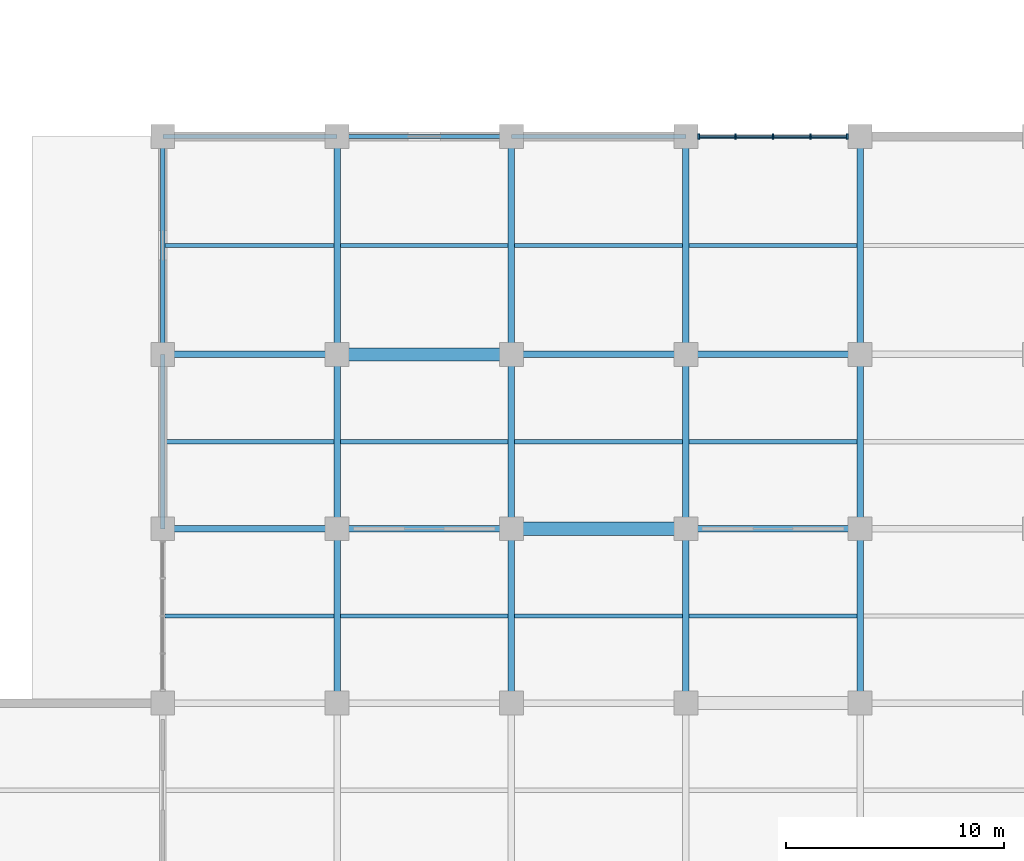
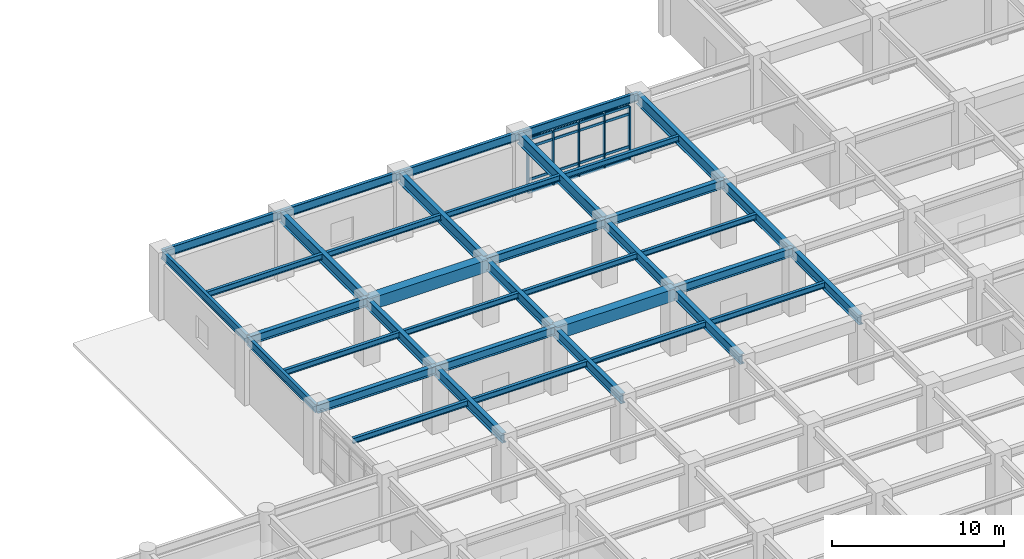
# One storey, part 44 of 125: 38 beams, 21 members, 1 element without a shape of its own.
"""IFC4 building model written with IfcOpenShell, lengths in metres."""

from ifc_helpers import new_model, si_unit, direction, frame, origin, origin_2d, place, context, subcontext, project, spatial, rectangle, i_section, extrude, material, layer, layer_set, material_profile, profile_set, type_object, element, aggregate, save


model = new_model("IFC4")

# Units and contexts
model_context = context("Model", 3, precision=1e-05, world=origin(), true_north=direction((0.0, 1.0)))
body_context = subcontext(model_context, "Body", "Model", "MODEL_VIEW")
ifc_project = project(units=[si_unit("LENGTHUNIT", "METRE"), si_unit("AREAUNIT", "SQUARE_METRE"), si_unit("VOLUMEUNIT", "CUBIC_METRE"), si_unit("PLANEANGLEUNIT", "RADIAN"), si_unit("MASSUNIT", "GRAM", prefix="KILO")], contexts=[model_context])

# Site, building, storey
site_placement = place(None, origin())
site = spatial("IfcSite", under=ifc_project, at=site_placement, CompositionType="ELEMENT")
building_placement = place(site_placement, origin())
building = spatial("IfcBuilding", under=site, at=building_placement, Name="Haebicheon Civic Stadium", CompositionType="ELEMENT")
storey_placement = place(building_placement, origin())
storey = spatial("IfcBuildingStorey", under=building, at=storey_placement, Name="L01", CompositionType="ELEMENT", Elevation=0.0)

# Beams
ifc_material_1 = material(Name="Steel SM355 (S355)", Category="steel")
ifc_material_profile_1 = material_profile(ifc_material_1, i_section(OverallWidth=0.300048828125, OverallDepth=0.60009765625, WebThickness=0.011962890625, FlangeThickness=0.02001953125, at=origin_2d()), Name="H-600x300x12x20")
ifc_profile_set_1 = profile_set([ifc_material_profile_1], Name="Steel SM355 (S355)")
beam_type_1 = type_object("IfcBeamType", Name="BM-ST-H600A", PredefinedType="BEAM", material=ifc_profile_set_1)
for number, where, z_axis, x_axis, name in (
    (1, (24.0, 160.0, 4.179931640625), (1.0, 0.0, 0.0), (0.0, 1.0, 0.0), "L01 beam W/4-5"),
    (2, (24.0, 168.0, 4.179931640625), (1.0, 0.0, 0.0), (0.0, 1.0, 0.0), "L01 beam X/4-5"),
    (3, (32.0, 160.0, 4.179931640625), (1.0, 0.0, 0.0), (0.0, 1.0, 0.0), "L01 beam W/5-6"),
    (4, (40.0, 168.0, 4.179931640625), (1.0, 0.0, 0.0), (0.0, 1.0, 0.0), "L01 beam X/6-7"),
    (5, (48.0, 160.0, 4.179931640625), (1.0, 0.0, 0.0), (0.0, 1.0, 0.0), "L01 beam W/7-8"),
    (6, (48.0, 168.0, 4.179931640625), (1.0, 0.0, 0.0), (0.0, 1.0, 0.0), "L01 beam X/7-8"),
):
    element("IfcBeam", number, at=place(storey_placement, frame(where, z_axis=z_axis, x_axis=x_axis)), inside=storey, type_object=beam_type_1, material=ifc_profile_set_1, Name=name, PredefinedType="BEAM", context=body_context, shape_type="SweptSolid", body=[
        extrude(i_section(OverallWidth=0.300048828125, OverallDepth=0.60009765625, WebThickness=0.011962890625, FlangeThickness=0.02001953125, at=origin_2d()), origin(), (0.0, 0.0, 1.0), 8.0),
    ])
ifc_material_2 = material(Name="Steel SM490", Category="steel")
ifc_material_profile_2 = material_profile(ifc_material_2, i_section(OverallWidth=0.300048828125, OverallDepth=0.699951171875, WebThickness=0.012939453125, FlangeThickness=0.02392578125, at=origin_2d()), Name="H-700x300x13x24")
ifc_profile_set_2 = profile_set([ifc_material_profile_2], Name="Steel SM490")
beam_type_2 = type_object("IfcBeamType", Name="BM-ST-H700", PredefinedType="BEAM", material=ifc_profile_set_2)
for number, where, z_axis, x_axis, name in (
    (7, (32.0, 152.0, 4.1298828125), (0.0, 1.0, 0.0), (-1.0, 0.0, 0.0), "L01 girder 5/V-W"),
    (8, (32.0, 160.0, 4.1298828125), (0.0, 1.0, 0.0), (-1.0, 0.0, 0.0), "L01 girder 5/W-X"),
    (9, (40.0, 152.0, 4.1298828125), (0.0, 1.0, 0.0), (-1.0, 0.0, 0.0), "L01 girder 6/V-W"),
    (10, (40.0, 160.0, 4.1298828125), (0.0, 1.0, 0.0), (-1.0, 0.0, 0.0), "L01 girder 6/W-X"),
    (11, (48.0, 152.0, 4.1298828125), (0.0, 1.0, 0.0), (-1.0, 0.0, 0.0), "L01 girder 7/V-W"),
    (12, (48.0, 160.0, 4.1298828125), (0.0, 1.0, 0.0), (-1.0, 0.0, 0.0), "L01 girder 7/W-X"),
    (13, (56.0, 152.0, 4.1298828125), (0.0, 1.0, 0.0), (-1.0, 0.0, 0.0), "L01 girder 8/V-W"),
    (14, (56.0, 160.0, 4.1298828125), (0.0, 1.0, 0.0), (-1.0, 0.0, 0.0), "L01 girder 8/W-X"),
):
    element("IfcBeam", number, at=place(storey_placement, frame(where, z_axis=z_axis, x_axis=x_axis)), inside=storey, type_object=beam_type_2, material=ifc_profile_set_2, Name=name, PredefinedType="BEAM", context=body_context, shape_type="SweptSolid", body=[
        extrude(i_section(OverallWidth=0.300048828125, OverallDepth=0.699951171875, WebThickness=0.012939453125, FlangeThickness=0.02392578125, at=origin_2d()), origin(), (0.0, 0.0, 1.0), 8.0),
    ])
ifc_material_3 = material(Name="Steel SM490", Category="steel")
ifc_material_profile_3 = material_profile(ifc_material_3, i_section(OverallWidth=0.300048828125, OverallDepth=0.800048828125, WebThickness=0.013916015625, FlangeThickness=0.02587890625, at=origin_2d()), Name="H-800x300x14x26")
ifc_profile_set_3 = profile_set([ifc_material_profile_3], Name="Steel SM490")
beam_type_3 = type_object("IfcBeamType", Name="BM-ST-H800", PredefinedType="BEAM", material=ifc_profile_set_3)
for number, where, z_axis, x_axis, name in (
    (15, (32.0, 168.0, 4.179931640625), (0.0, 1.0, 0.0), (-1.0, 0.0, 0.0), "L01 girder 5/X-Y"),
    (16, (40.0, 168.0, 4.179931640625), (0.0, 1.0, 0.0), (-1.0, 0.0, 0.0), "L01 girder 6/X-Y"),
    (17, (48.0, 168.0, 4.179931640625), (0.0, 1.0, 0.0), (-1.0, 0.0, 0.0), "L01 girder 7/X-Y"),
    (18, (56.0, 168.0, 4.179931640625), (0.0, 1.0, 0.0), (-1.0, 0.0, 0.0), "L01 girder 8/X-Y"),
):
    element("IfcBeam", number, at=place(storey_placement, frame(where, z_axis=z_axis, x_axis=x_axis)), inside=storey, type_object=beam_type_3, material=ifc_profile_set_3, Name=name, PredefinedType="BEAM", context=body_context, shape_type="SweptSolid", body=[
        extrude(i_section(OverallWidth=0.300048828125, OverallDepth=0.800048828125, WebThickness=0.013916015625, FlangeThickness=0.02587890625, at=origin_2d()), origin(), (0.0, 0.0, 1.0), 10.0),
    ])
ifc_material_4 = material(Name="Precast concrete C40/50", Category="concrete")
ifc_material_profile_4 = material_profile(ifc_material_4, rectangle(XDim=0.60009765625, YDim=0.85009765625, at=origin_2d()), Name="PC-TB-600x850")
ifc_profile_set_4 = profile_set([ifc_material_profile_4], Name="Precast concrete C40/50")
beam_type_4 = type_object("IfcBeamType", Name="BM-TB-600x850", PredefinedType="T_BEAM", material=ifc_profile_set_4)
for number, where, z_axis, x_axis, name in (
    (19, (32.0, 168.0, 4.054931640625), (1.0, 0.0, 0.0), (0.0, 1.0, 0.0), "L01 beam X/5-6"),
    (20, (40.0, 160.0, 4.054931640625), (1.0, 0.0, 0.0), (0.0, 1.0, 0.0), "L01 beam W/6-7"),
):
    element("IfcBeam", number, at=place(storey_placement, frame(where, z_axis=z_axis, x_axis=x_axis)), inside=storey, type_object=beam_type_4, material=ifc_profile_set_4, Name=name, PredefinedType="T_BEAM", context=body_context, shape_type="SweptSolid", body=[
        extrude(rectangle(XDim=0.60009765625, YDim=0.85009765625, at=origin_2d()), origin(), (0.0, 0.0, 1.0), 8.0),
    ])

# Curtain wall, members
ifc_material_5 = material(Name="Anodised aluminium and laminated glass", Category="aluminium")
ifc_layer = layer(ifc_material_5, 0.179931640625, Name="Anodised aluminium and laminated glass")
ifc_layer_set = layer_set([ifc_layer], Name="Anodised aluminium and laminated glass")
curtain_wall_type = type_object("IfcCurtainWallType", Name="CW-6900x3770", PredefinedType="NOTDEFINED", material=ifc_layer_set)
curtain_wall_placement = place(storey_placement, origin())
curtain_wall = element("IfcCurtainWall", 21, at=curtain_wall_placement, inside=storey, type_object=curtain_wall_type, material=ifc_layer_set, Name="L01 unitised curtain wall 004", PredefinedType="NOTDEFINED")
ifc_material_6 = material(Name="Anodised aluminium 6063-T6", Category="aluminium")
ifc_material_profile_5 = material_profile(ifc_material_6, rectangle(XDim=0.080078125, YDim=0.239990234375, at=origin_2d()), Name="ALU-MULL-80x240")
ifc_profile_set_5 = profile_set([ifc_material_profile_5], Name="Anodised aluminium 6063-T6")
member_type_1 = type_object("IfcMemberType", Name="CWM-240x80", PredefinedType="MULLION", material=ifc_profile_set_5)
member_1_placement = place(storey_placement, frame((48.590087890625, 178.0, 0.0), z_axis=(0.0, 0.0, 1.0), x_axis=(1.0, 0.0, 0.0)))
member_1 = element("IfcMember", 22, at=member_1_placement, type_object=member_type_1, material=ifc_profile_set_5, Name="CW-L01-004 vertical mullion 1", PredefinedType="MULLION", context=body_context, shape_type="SweptSolid", body=[
    extrude(rectangle(XDim=0.080078125, YDim=0.239990234375, at=origin_2d()), origin(), (0.0, 0.0, 1.0), 3.77001953125),
])
member_2_placement = place(storey_placement, frame((50.27490234375, 178.0, 0.0), z_axis=(0.0, 0.0, 1.0), x_axis=(1.0, 0.0, 0.0)))
member_2 = element("IfcMember", 23, at=member_2_placement, type_object=member_type_1, material=ifc_profile_set_5, Name="CW-L01-004 vertical mullion 2", PredefinedType="MULLION", context=body_context, shape_type="SweptSolid", body=[
    extrude(rectangle(XDim=0.080078125, YDim=0.239990234375, at=origin_2d()), origin(), (0.0, 0.0, 1.0), 3.77001953125),
])
member_3_placement = place(storey_placement, frame((52.0, 178.0, 0.0), z_axis=(0.0, 0.0, 1.0), x_axis=(1.0, 0.0, 0.0)))
member_3 = element("IfcMember", 24, at=member_3_placement, type_object=member_type_1, material=ifc_profile_set_5, Name="CW-L01-004 vertical mullion 3", PredefinedType="MULLION", context=body_context, shape_type="SweptSolid", body=[
    extrude(rectangle(XDim=0.080078125, YDim=0.239990234375, at=origin_2d()), origin(), (0.0, 0.0, 1.0), 3.77001953125),
])
member_4_placement = place(storey_placement, frame((53.72509765625, 178.0, 0.0), z_axis=(0.0, 0.0, 1.0), x_axis=(1.0, 0.0, 0.0)))
member_4 = element("IfcMember", 25, at=member_4_placement, type_object=member_type_1, material=ifc_profile_set_5, Name="CW-L01-004 vertical mullion 4", PredefinedType="MULLION", context=body_context, shape_type="SweptSolid", body=[
    extrude(rectangle(XDim=0.080078125, YDim=0.239990234375, at=origin_2d()), origin(), (0.0, 0.0, 1.0), 3.77001953125),
])
member_5_placement = place(storey_placement, frame((55.409912109375, 178.0, 0.0), z_axis=(0.0, 0.0, 1.0), x_axis=(1.0, 0.0, 0.0)))
member_5 = element("IfcMember", 26, at=member_5_placement, type_object=member_type_1, material=ifc_profile_set_5, Name="CW-L01-004 vertical mullion 5", PredefinedType="MULLION", context=body_context, shape_type="SweptSolid", body=[
    extrude(rectangle(XDim=0.080078125, YDim=0.239990234375, at=origin_2d()), origin(), (0.0, 0.0, 1.0), 3.77001953125),
])
ifc_material_7 = material(Name="Anodised aluminium 6063-T6", Category="aluminium")
ifc_material_profile_6 = material_profile(ifc_material_7, rectangle(XDim=0.080078125, YDim=0.179931640625, at=origin_2d()), Name="ALU-TRAN-80x180")
ifc_profile_set_6 = profile_set([ifc_material_profile_6], Name="Anodised aluminium 6063-T6")
member_type_2 = type_object("IfcMemberType", Name="CWT-180x80", PredefinedType="NOTDEFINED", material=ifc_profile_set_6)
member_6_placement = place(storey_placement, frame((48.6298828125, 178.0, 0.0), z_axis=(1.0, 0.0, 0.0), x_axis=(0.0, 1.0, 0.0)))
member_6 = element("IfcMember", 27, at=member_6_placement, type_object=member_type_2, material=ifc_profile_set_6, Name="CW-L01-004 horizontal transom 1.1", ObjectType="TRANSOM", PredefinedType="USERDEFINED", context=body_context, shape_type="SweptSolid", body=[
    extrude(rectangle(XDim=0.080078125, YDim=0.179931640625, at=origin_2d()), origin(), (0.0, 0.0, 1.0), 1.605224609375),
])
member_7_placement = place(storey_placement, frame((48.6298828125, 178.0, 0.89990234375), z_axis=(1.0, 0.0, 0.0), x_axis=(0.0, 1.0, 0.0)))
member_7 = element("IfcMember", 28, at=member_7_placement, type_object=member_type_2, material=ifc_profile_set_6, Name="CW-L01-004 horizontal transom 1.2", ObjectType="TRANSOM", PredefinedType="USERDEFINED", context=body_context, shape_type="SweptSolid", body=[
    extrude(rectangle(XDim=0.080078125, YDim=0.179931640625, at=origin_2d()), origin(), (0.0, 0.0, 1.0), 1.605224609375),
])
member_8_placement = place(storey_placement, frame((48.6298828125, 178.0, 3.219970703125), z_axis=(1.0, 0.0, 0.0), x_axis=(0.0, 1.0, 0.0)))
member_8 = element("IfcMember", 29, at=member_8_placement, type_object=member_type_2, material=ifc_profile_set_6, Name="CW-L01-004 horizontal transom 1.3", ObjectType="TRANSOM", PredefinedType="USERDEFINED", context=body_context, shape_type="SweptSolid", body=[
    extrude(rectangle(XDim=0.080078125, YDim=0.179931640625, at=origin_2d()), origin(), (0.0, 0.0, 1.0), 1.605224609375),
])
member_9_placement = place(storey_placement, frame((48.6298828125, 178.0, 3.77001953125), z_axis=(1.0, 0.0, 0.0), x_axis=(0.0, 1.0, 0.0)))
member_9 = element("IfcMember", 30, at=member_9_placement, type_object=member_type_2, material=ifc_profile_set_6, Name="CW-L01-004 horizontal transom 1.4", ObjectType="TRANSOM", PredefinedType="USERDEFINED", context=body_context, shape_type="SweptSolid", body=[
    extrude(rectangle(XDim=0.080078125, YDim=0.179931640625, at=origin_2d()), origin(), (0.0, 0.0, 1.0), 1.605224609375),
])
member_10_placement = place(storey_placement, frame((50.31494140625, 178.0, 0.0), z_axis=(1.0, 0.0, 0.0), x_axis=(0.0, 1.0, 0.0)))
member_10 = element("IfcMember", 31, at=member_10_placement, type_object=member_type_2, material=ifc_profile_set_6, Name="CW-L01-004 horizontal transom 2.1", ObjectType="TRANSOM", PredefinedType="USERDEFINED", context=body_context, shape_type="SweptSolid", body=[
    extrude(rectangle(XDim=0.080078125, YDim=0.179931640625, at=origin_2d()), origin(), (0.0, 0.0, 1.0), 1.64501953125),
])
member_11_placement = place(storey_placement, frame((50.31494140625, 178.0, 0.89990234375), z_axis=(1.0, 0.0, 0.0), x_axis=(0.0, 1.0, 0.0)))
member_11 = element("IfcMember", 32, at=member_11_placement, type_object=member_type_2, material=ifc_profile_set_6, Name="CW-L01-004 horizontal transom 2.2", ObjectType="TRANSOM", PredefinedType="USERDEFINED", context=body_context, shape_type="SweptSolid", body=[
    extrude(rectangle(XDim=0.080078125, YDim=0.179931640625, at=origin_2d()), origin(), (0.0, 0.0, 1.0), 1.64501953125),
])
member_12_placement = place(storey_placement, frame((50.31494140625, 178.0, 3.219970703125), z_axis=(1.0, 0.0, 0.0), x_axis=(0.0, 1.0, 0.0)))
member_12 = element("IfcMember", 33, at=member_12_placement, type_object=member_type_2, material=ifc_profile_set_6, Name="CW-L01-004 horizontal transom 2.3", ObjectType="TRANSOM", PredefinedType="USERDEFINED", context=body_context, shape_type="SweptSolid", body=[
    extrude(rectangle(XDim=0.080078125, YDim=0.179931640625, at=origin_2d()), origin(), (0.0, 0.0, 1.0), 1.64501953125),
])
member_13_placement = place(storey_placement, frame((50.31494140625, 178.0, 3.77001953125), z_axis=(1.0, 0.0, 0.0), x_axis=(0.0, 1.0, 0.0)))
member_13 = element("IfcMember", 34, at=member_13_placement, type_object=member_type_2, material=ifc_profile_set_6, Name="CW-L01-004 horizontal transom 2.4", ObjectType="TRANSOM", PredefinedType="USERDEFINED", context=body_context, shape_type="SweptSolid", body=[
    extrude(rectangle(XDim=0.080078125, YDim=0.179931640625, at=origin_2d()), origin(), (0.0, 0.0, 1.0), 1.64501953125),
])
member_14_placement = place(storey_placement, frame((52.0400390625, 178.0, 0.0), z_axis=(1.0, 0.0, 0.0), x_axis=(0.0, 1.0, 0.0)))
member_14 = element("IfcMember", 35, at=member_14_placement, type_object=member_type_2, material=ifc_profile_set_6, Name="CW-L01-004 horizontal transom 3.1", ObjectType="TRANSOM", PredefinedType="USERDEFINED", context=body_context, shape_type="SweptSolid", body=[
    extrude(rectangle(XDim=0.080078125, YDim=0.179931640625, at=origin_2d()), origin(), (0.0, 0.0, 1.0), 1.64501953125),
])
member_15_placement = place(storey_placement, frame((52.0400390625, 178.0, 0.89990234375), z_axis=(1.0, 0.0, 0.0), x_axis=(0.0, 1.0, 0.0)))
member_15 = element("IfcMember", 36, at=member_15_placement, type_object=member_type_2, material=ifc_profile_set_6, Name="CW-L01-004 horizontal transom 3.2", ObjectType="TRANSOM", PredefinedType="USERDEFINED", context=body_context, shape_type="SweptSolid", body=[
    extrude(rectangle(XDim=0.080078125, YDim=0.179931640625, at=origin_2d()), origin(), (0.0, 0.0, 1.0), 1.64501953125),
])
member_16_placement = place(storey_placement, frame((52.0400390625, 178.0, 3.219970703125), z_axis=(1.0, 0.0, 0.0), x_axis=(0.0, 1.0, 0.0)))
member_16 = element("IfcMember", 37, at=member_16_placement, type_object=member_type_2, material=ifc_profile_set_6, Name="CW-L01-004 horizontal transom 3.3", ObjectType="TRANSOM", PredefinedType="USERDEFINED", context=body_context, shape_type="SweptSolid", body=[
    extrude(rectangle(XDim=0.080078125, YDim=0.179931640625, at=origin_2d()), origin(), (0.0, 0.0, 1.0), 1.64501953125),
])
member_17_placement = place(storey_placement, frame((52.0400390625, 178.0, 3.77001953125), z_axis=(1.0, 0.0, 0.0), x_axis=(0.0, 1.0, 0.0)))
member_17 = element("IfcMember", 38, at=member_17_placement, type_object=member_type_2, material=ifc_profile_set_6, Name="CW-L01-004 horizontal transom 3.4", ObjectType="TRANSOM", PredefinedType="USERDEFINED", context=body_context, shape_type="SweptSolid", body=[
    extrude(rectangle(XDim=0.080078125, YDim=0.179931640625, at=origin_2d()), origin(), (0.0, 0.0, 1.0), 1.64501953125),
])
member_18_placement = place(storey_placement, frame((53.764892578125, 178.0, 0.0), z_axis=(1.0, 0.0, 0.0), x_axis=(0.0, 1.0, 0.0)))
member_18 = element("IfcMember", 39, at=member_18_placement, type_object=member_type_2, material=ifc_profile_set_6, Name="CW-L01-004 horizontal transom 4.1", ObjectType="TRANSOM", PredefinedType="USERDEFINED", context=body_context, shape_type="SweptSolid", body=[
    extrude(rectangle(XDim=0.080078125, YDim=0.179931640625, at=origin_2d()), origin(), (0.0, 0.0, 1.0), 1.605224609375),
])
member_19_placement = place(storey_placement, frame((53.764892578125, 178.0, 0.89990234375), z_axis=(1.0, 0.0, 0.0), x_axis=(0.0, 1.0, 0.0)))
member_19 = element("IfcMember", 40, at=member_19_placement, type_object=member_type_2, material=ifc_profile_set_6, Name="CW-L01-004 horizontal transom 4.2", ObjectType="TRANSOM", PredefinedType="USERDEFINED", context=body_context, shape_type="SweptSolid", body=[
    extrude(rectangle(XDim=0.080078125, YDim=0.179931640625, at=origin_2d()), origin(), (0.0, 0.0, 1.0), 1.605224609375),
])
member_20_placement = place(storey_placement, frame((53.764892578125, 178.0, 3.219970703125), z_axis=(1.0, 0.0, 0.0), x_axis=(0.0, 1.0, 0.0)))
member_20 = element("IfcMember", 41, at=member_20_placement, type_object=member_type_2, material=ifc_profile_set_6, Name="CW-L01-004 horizontal transom 4.3", ObjectType="TRANSOM", PredefinedType="USERDEFINED", context=body_context, shape_type="SweptSolid", body=[
    extrude(rectangle(XDim=0.080078125, YDim=0.179931640625, at=origin_2d()), origin(), (0.0, 0.0, 1.0), 1.605224609375),
])
member_21_placement = place(storey_placement, frame((53.764892578125, 178.0, 3.77001953125), z_axis=(1.0, 0.0, 0.0), x_axis=(0.0, 1.0, 0.0)))
member_21 = element("IfcMember", 42, at=member_21_placement, type_object=member_type_2, material=ifc_profile_set_6, Name="CW-L01-004 horizontal transom 4.4", ObjectType="TRANSOM", PredefinedType="USERDEFINED", context=body_context, shape_type="SweptSolid", body=[
    extrude(rectangle(XDim=0.080078125, YDim=0.179931640625, at=origin_2d()), origin(), (0.0, 0.0, 1.0), 1.605224609375),
])
aggregate(curtain_wall, [member_1, member_2, member_3, member_4, member_5, member_6, member_7, member_8, member_9, member_10, member_11, member_12, member_13, member_14, member_15, member_16, member_17, member_18, member_19, member_20, member_21])

# Beams
ifc_material_8 = material(Name="Steel SM355 (S355)", Category="steel")
ifc_material_profile_7 = material_profile(ifc_material_8, i_section(OverallWidth=0.199951171875, OverallDepth=0.39990234375, WebThickness=0.008056640625, FlangeThickness=0.012939453125, at=origin_2d()), Name="H-400x200x8x13")
ifc_profile_set_7 = profile_set([ifc_material_profile_7], Name="Steel SM355 (S355)")
beam_type_5 = type_object("IfcBeamType", Name="JST-ST-H400", PredefinedType="JOIST", material=ifc_profile_set_7)
for number, where, z_axis, x_axis, name in (
    (43, (24.10009765625, 156.0, 4.280029296875), (1.0, 0.0, 0.0), (0.0, 1.0, 0.0), "L01 secondary joist 03-19"),
    (44, (24.10009765625, 164.0, 4.280029296875), (1.0, 0.0, 0.0), (0.0, 1.0, 0.0), "L01 secondary joist 03-20"),
    (45, (24.10009765625, 173.0, 4.3798828125), (1.0, 0.0, 0.0), (0.0, 1.0, 0.0), "L01 secondary joist 03-21"),
):
    element("IfcBeam", number, at=place(storey_placement, frame(where, z_axis=z_axis, x_axis=x_axis)), inside=storey, type_object=beam_type_5, material=ifc_profile_set_7, Name=name, PredefinedType="JOIST", context=body_context, shape_type="SweptSolid", body=[
        extrude(i_section(OverallWidth=0.199951171875, OverallDepth=0.39990234375, WebThickness=0.008056640625, FlangeThickness=0.012939453125, at=origin_2d()), origin(), (0.0, 0.0, 1.0), 7.75),
    ])
for number, where, z_axis, x_axis, name in (
    (46, (32.14990234375, 156.0, 4.280029296875), (1.0, 0.0, 0.0), (0.0, 1.0, 0.0), "L01 secondary joist 04-19"),
    (47, (32.14990234375, 164.0, 4.280029296875), (1.0, 0.0, 0.0), (0.0, 1.0, 0.0), "L01 secondary joist 04-20"),
    (48, (32.14990234375, 173.0, 4.3798828125), (1.0, 0.0, 0.0), (0.0, 1.0, 0.0), "L01 secondary joist 04-21"),
    (49, (40.14990234375, 156.0, 4.280029296875), (1.0, 0.0, 0.0), (0.0, 1.0, 0.0), "L01 secondary joist 05-19"),
    (50, (40.14990234375, 164.0, 4.280029296875), (1.0, 0.0, 0.0), (0.0, 1.0, 0.0), "L01 secondary joist 05-20"),
    (51, (40.14990234375, 173.0, 4.3798828125), (1.0, 0.0, 0.0), (0.0, 1.0, 0.0), "L01 secondary joist 05-21"),
    (52, (48.14990234375, 156.0, 4.280029296875), (1.0, 0.0, 0.0), (0.0, 1.0, 0.0), "L01 secondary joist 06-19"),
    (53, (48.14990234375, 164.0, 4.280029296875), (1.0, 0.0, 0.0), (0.0, 1.0, 0.0), "L01 secondary joist 06-20"),
    (54, (48.14990234375, 173.0, 4.3798828125), (1.0, 0.0, 0.0), (0.0, 1.0, 0.0), "L01 secondary joist 06-21"),
):
    element("IfcBeam", number, at=place(storey_placement, frame(where, z_axis=z_axis, x_axis=x_axis)), inside=storey, type_object=beam_type_5, material=ifc_profile_set_7, Name=name, PredefinedType="JOIST", context=body_context, shape_type="SweptSolid", body=[
        extrude(i_section(OverallWidth=0.199951171875, OverallDepth=0.39990234375, WebThickness=0.008056640625, FlangeThickness=0.012939453125, at=origin_2d()), origin(), (0.0, 0.0, 1.0), 7.7001953125),
    ])
ifc_material_9 = material(Name="Steel SM355 (S355)", Category="steel")
ifc_material_profile_8 = material_profile(ifc_material_9, i_section(OverallWidth=0.199951171875, OverallDepth=0.60009765625, WebThickness=0.010986328125, FlangeThickness=0.01708984375, at=origin_2d()), Name="H-600x200x11x17")
ifc_profile_set_8 = profile_set([ifc_material_profile_8], Name="Steel SM355 (S355)")
beam_type_6 = type_object("IfcBeamType", Name="SPD-ST-H600B", PredefinedType="SPANDREL", material=ifc_profile_set_8)
beam_1_placement = place(storey_placement, frame((24.0, 160.0, 4.179931640625), z_axis=(0.0, 1.0, 0.0), x_axis=(-1.0, 0.0, 0.0)))
element("IfcBeam", 55, at=beam_1_placement, inside=storey, type_object=beam_type_6, material=ifc_profile_set_8, Name="L01 girder 4/W-X", PredefinedType="SPANDREL", context=body_context, shape_type="SweptSolid", body=[
    extrude(i_section(OverallWidth=0.199951171875, OverallDepth=0.60009765625, WebThickness=0.010986328125, FlangeThickness=0.01708984375, at=origin_2d()), origin(), (0.0, 0.0, 1.0), 8.0),
])
beam_2_placement = place(storey_placement, frame((24.0, 168.0, 4.280029296875), z_axis=(0.0, 1.0, 0.0), x_axis=(-1.0, 0.0, 0.0)))
element("IfcBeam", 56, at=beam_2_placement, inside=storey, type_object=beam_type_6, material=ifc_profile_set_8, Name="L01 girder 4/X-Y", PredefinedType="SPANDREL", context=body_context, shape_type="SweptSolid", body=[
    extrude(i_section(OverallWidth=0.199951171875, OverallDepth=0.60009765625, WebThickness=0.010986328125, FlangeThickness=0.01708984375, at=origin_2d()), origin(), (0.0, 0.0, 1.0), 10.0),
])
for number, where, z_axis, x_axis, name in (
    (57, (24.0, 178.0, 4.280029296875), (1.0, 0.0, 0.0), (0.0, 1.0, 0.0), "L01 beam Y/4-5"),
    (58, (32.0, 178.0, 4.280029296875), (1.0, 0.0, 0.0), (0.0, 1.0, 0.0), "L01 beam Y/5-6"),
    (59, (40.0, 178.0, 4.280029296875), (1.0, 0.0, 0.0), (0.0, 1.0, 0.0), "L01 beam Y/6-7"),
    (60, (48.0, 178.0, 4.280029296875), (1.0, 0.0, 0.0), (0.0, 1.0, 0.0), "L01 beam Y/7-8"),
):
    element("IfcBeam", number, at=place(storey_placement, frame(where, z_axis=z_axis, x_axis=x_axis)), inside=storey, type_object=beam_type_6, material=ifc_profile_set_8, Name=name, PredefinedType="SPANDREL", context=body_context, shape_type="SweptSolid", body=[
        extrude(i_section(OverallWidth=0.199951171875, OverallDepth=0.60009765625, WebThickness=0.010986328125, FlangeThickness=0.01708984375, at=origin_2d()), origin(), (0.0, 0.0, 1.0), 8.0),
    ])

save(model, "model.ifc")
